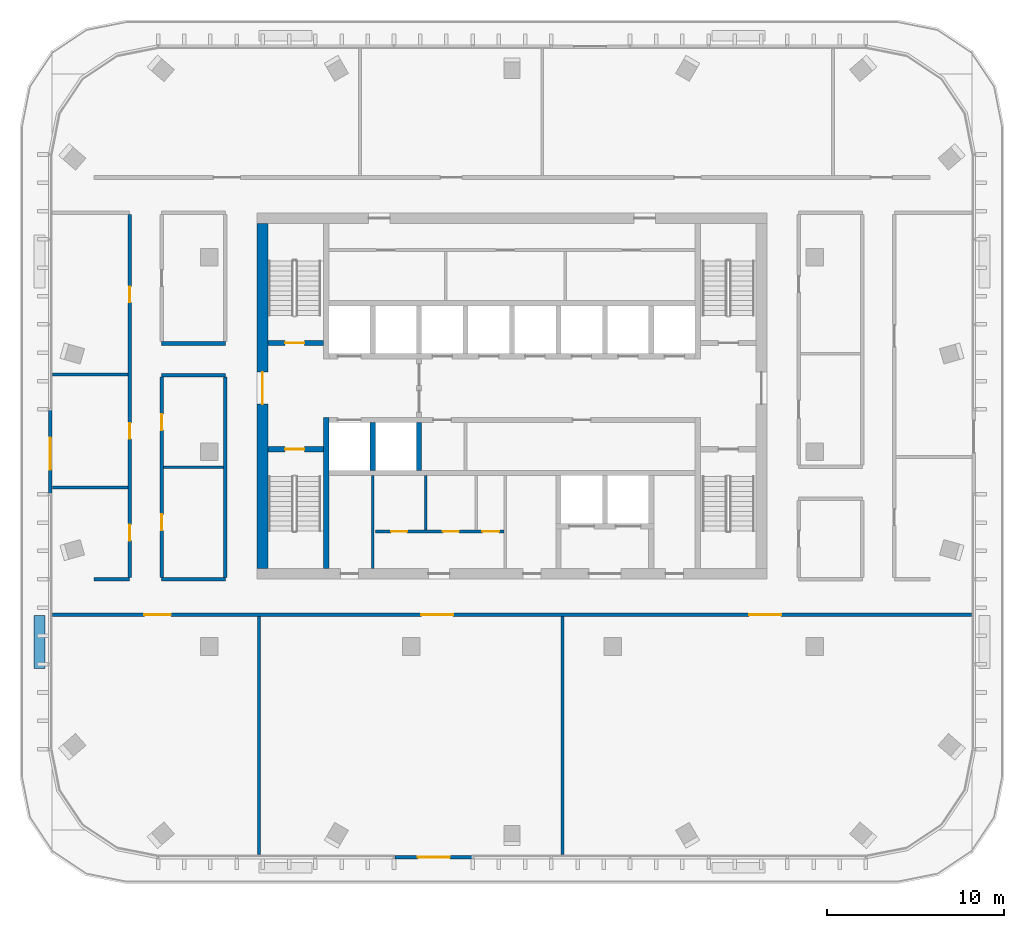
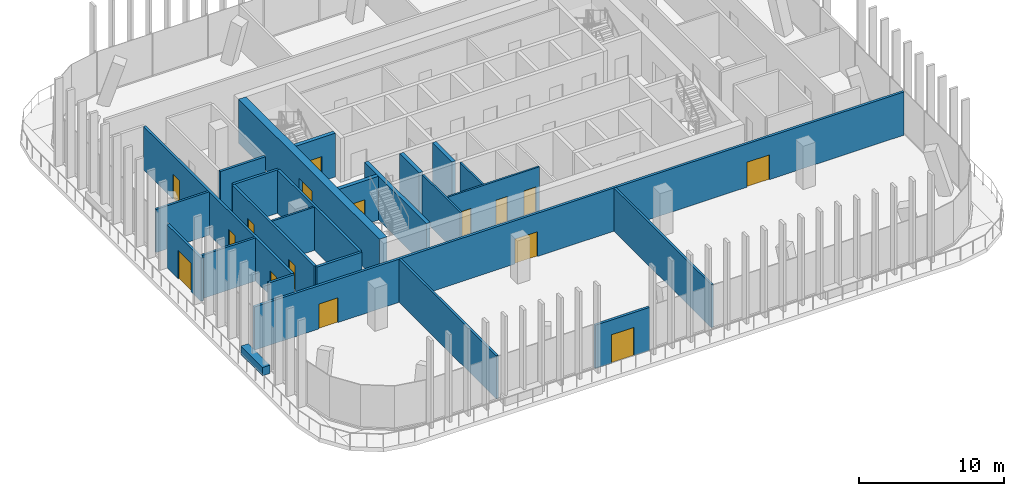
# One storey, part 7 of 15: 25 walls, 16 doors, 16 openings.
"""IFC4 building model written with IfcOpenShell, lengths in metres."""

from ifc_helpers import new_model, si_unit, direction, frame, frame_2d, origin, place, context, subcontext, project, spatial, rectangle, extrude, material, layer, layer_set, type_object, element, fill, save


model = new_model("IFC4")

# Units and contexts
model_context = context("Model", 3, precision=1e-05, world=origin(), true_north=direction((0.0, 1.0)))
body_context = subcontext(model_context, "Body", "Model", "MODEL_VIEW")
ifc_project = project(units=[si_unit("LENGTHUNIT", "METRE"), si_unit("AREAUNIT", "SQUARE_METRE"), si_unit("VOLUMEUNIT", "CUBIC_METRE"), si_unit("PLANEANGLEUNIT", "RADIAN"), si_unit("MASSUNIT", "GRAM", prefix="KILO")], contexts=[model_context])

# Site, building, storey
site_placement = place(None, origin())
site = spatial("IfcSite", under=ifc_project, at=site_placement, CompositionType="ELEMENT")
building_placement = place(site_placement, origin())
building = spatial("IfcBuilding", under=site, at=building_placement, Name="Mopane Tessera Tower", CompositionType="ELEMENT")
storey_placement = place(building_placement, frame((0.0, 0.0, 329.39990234375)))
storey = spatial("IfcBuildingStorey", under=building, at=storey_placement, Name="L72", CompositionType="ELEMENT", Elevation=329.39990234375)

# Wall
ifc_material_1 = material(Name="Fire-rated gypsum board partition")
ifc_layer_1 = layer(ifc_material_1, 0.14990234375)
ifc_layer_set_1 = layer_set([ifc_layer_1], Name="Fire-rated gypsum board partition")
wall_type_1 = type_object("IfcWallType", Name="Core room partition 150 mm", PredefinedType="PARTITIONING", material=ifc_layer_set_1)
wall_1_placement = place(storey_placement, frame((-7.875, -6.60009765625, 0.0), z_axis=(0.0, 0.0, 1.0), x_axis=(0.0, 1.0, 0.0)))
element("IfcWall", 1, at=wall_1_placement, inside=storey, type_object=wall_type_1, Name="L72 Room partition", PredefinedType="PARTITIONING", context=body_context, shape_type="SweptSolid", body=[
    extrude(rectangle(XDim=5.25, YDim=0.14990234375, at=frame_2d((2.625, 0.0))), origin(), (0.0, 0.0, 1.0), 3.7001953125),
])

# Wall, openings, doors
wall_2_placement = place(storey_placement, frame((-7.72509765625, -4.5, 0.0), z_axis=(0.0, 0.0, 1.0), x_axis=(1.0, 0.0, 0.0)))
wall_2 = element("IfcWall", 2, at=wall_2_placement, inside=storey, type_object=wall_type_1, Name="L72 WC partition", PredefinedType="PARTITIONING", context=body_context, shape_type="SweptSolid", body=[
    extrude(rectangle(XDim=7.275146484375, YDim=0.14990234375, at=frame_2d((3.6376953125, 0.0))), origin(), (0.0, 0.0, 1.0), 3.7001953125),
])
opening_1_placement = place(wall_2_placement, frame((0.89990234375, 0.0, 0.0)))
opening_1 = element("IfcOpeningElement", 3, at=opening_1_placement, cuts=wall_2, Name="Opening WD1", PredefinedType="OPENING", context=body_context, shape_type="SweptSolid", body=[
    extrude(rectangle(XDim=0.89990234375, YDim=2.10009765625, at=frame_2d((0.449951171875, 1.050048828125))), frame((0.0, 0.0869140625, 0.0), z_axis=(0.0, -1.0, 0.0), x_axis=(1.0, 0.0, 0.0)), (0.0, 0.0, 1.0), 0.173828125),
])
opening_2_placement = place(wall_2_placement, frame((3.824951171875, 0.0, 0.0)))
opening_2 = element("IfcOpeningElement", 4, at=opening_2_placement, cuts=wall_2, Name="Opening WD1", PredefinedType="OPENING", context=body_context, shape_type="SweptSolid", body=[
    extrude(rectangle(XDim=0.89990234375, YDim=2.10009765625, at=frame_2d((0.449951171875, 1.050048828125))), frame((0.0, 0.0869140625, 0.0), z_axis=(0.0, -1.0, 0.0), x_axis=(1.0, 0.0, 0.0)), (0.0, 0.0, 1.0), 0.173828125),
])
opening_3_placement = place(wall_2_placement, frame((6.050048828125, 0.0, 0.0)))
opening_3 = element("IfcOpeningElement", 5, at=opening_3_placement, cuts=wall_2, Name="Opening WD2", PredefinedType="OPENING", context=body_context, shape_type="SweptSolid", body=[
    extrude(rectangle(XDim=0.949951171875, YDim=2.10009765625, at=frame_2d((0.47509765625, 1.050048828125))), frame((0.0, 0.0869140625, 0.0), z_axis=(0.0, -1.0, 0.0), x_axis=(1.0, 0.0, 0.0)), (0.0, 0.0, 1.0), 0.173828125),
])
ifc_material_2 = material(Name="Timber door", Category="wood")
door_type_1 = type_object("IfcDoorType", Name="Accessible WC door 950 x 2100", OperationType="SINGLE_SWING_LEFT", PredefinedType="DOOR", material=ifc_material_2)
door_1_placement = place(opening_3_placement, origin())
door_1 = element("IfcDoor", 6, at=door_1_placement, inside=storey, type_object=door_type_1, Name="L72 Accessible WC door", OperationType="SINGLE_SWING_LEFT", OverallHeight=2.10009765625, OverallWidth=0.949951171875, PredefinedType="DOOR", context=body_context, shape_type="SweptSolid", body=[
    extrude(rectangle(XDim=0.949951171875, YDim=2.10009765625, at=frame_2d((0.47509765625, 1.050048828125))), frame((0.0, 0.02490234375, 0.0), z_axis=(0.0, -1.0, 0.0), x_axis=(1.0, 0.0, 0.0)), (0.0, 0.0, 1.0), 0.050048828125),
])
fill(opening_3, door_1)
ifc_material_3 = material(Name="Timber door", Category="wood")
door_type_2 = type_object("IfcDoorType", Name="WC cubicle door 900 x 2100", OperationType="SINGLE_SWING_LEFT", PredefinedType="DOOR", material=ifc_material_3)
door_2_placement = place(opening_1_placement, origin())
door_2 = element("IfcDoor", 7, at=door_2_placement, inside=storey, type_object=door_type_2, Name="L72 Men's WC door", OperationType="SINGLE_SWING_LEFT", OverallHeight=2.10009765625, OverallWidth=0.89990234375, PredefinedType="DOOR", context=body_context, shape_type="SweptSolid", body=[
    extrude(rectangle(XDim=0.89990234375, YDim=2.10009765625, at=frame_2d((0.449951171875, 1.050048828125))), frame((0.0, 0.02490234375, 0.0), z_axis=(0.0, -1.0, 0.0), x_axis=(1.0, 0.0, 0.0)), (0.0, 0.0, 1.0), 0.050048828125),
])
fill(opening_1, door_2)
door_3_placement = place(opening_2_placement, origin())
door_3 = element("IfcDoor", 8, at=door_3_placement, inside=storey, type_object=door_type_2, Name="L72 Women's WC door", OperationType="SINGLE_SWING_LEFT", OverallHeight=2.10009765625, OverallWidth=0.89990234375, PredefinedType="DOOR", context=body_context, shape_type="SweptSolid", body=[
    extrude(rectangle(XDim=0.89990234375, YDim=2.10009765625, at=frame_2d((0.449951171875, 1.050048828125))), frame((0.0, 0.02490234375, 0.0), z_axis=(0.0, -1.0, 0.0), x_axis=(1.0, 0.0, 0.0)), (0.0, 0.0, 1.0), 0.050048828125),
])
fill(opening_2, door_3)

# Wall
wall_3_placement = place(storey_placement, frame((-4.875, -4.425048828125, 0.0), z_axis=(0.0, 0.0, 1.0), x_axis=(0.0, 1.0, 0.0)))
element("IfcWall", 9, at=wall_3_placement, inside=storey, type_object=wall_type_1, Name="L72 WC partition", PredefinedType="PARTITIONING", context=body_context, shape_type="SweptSolid", body=[
    extrude(rectangle(XDim=3.074951171875, YDim=0.14990234375, at=frame_2d((1.53759765625, 0.0))), origin(), (0.0, 0.0, 1.0), 3.7001953125),
])

# Wall, opening, door
ifc_material_4 = material(Name="Concrete C70/85", Category="concrete")
ifc_layer_2 = layer(ifc_material_4, 0.60009765625)
ifc_layer_set_2 = layer_set([ifc_layer_2], Name="Concrete C70/85")
wall_type_2 = type_object("IfcWallType", Name="Core shear wall 600 mm", PredefinedType="SHEAR", material=ifc_layer_set_2)
wall_4_placement = place(storey_placement, frame((-14.10009765625, -6.60009765625, 0.0), z_axis=(0.0, 0.0, 1.0), x_axis=(0.0, 1.0, 0.0)))
wall_4 = element("IfcWall", 10, at=wall_4_placement, inside=storey, type_object=wall_type_2, Name="L72 Core wall west", PredefinedType="SHEAR", context=body_context, shape_type="SweptSolid", body=[
    extrude(rectangle(XDim=19.5, YDim=0.60009765625, at=frame_2d((9.75, 0.0))), origin(), (0.0, 0.0, 1.0), 3.7001953125),
])
opening_4_placement = place(wall_4_placement, frame((9.300048828125, 0.0, 0.0)))
opening_4 = element("IfcOpeningElement", 11, at=opening_4_placement, cuts=wall_4, Name="Opening SD2", PredefinedType="OPENING", context=body_context, shape_type="SweptSolid", body=[
    extrude(rectangle(XDim=1.800048828125, YDim=2.10009765625, at=frame_2d((0.89990234375, 1.050048828125))), frame((0.0, 0.31201171875, 0.0), z_axis=(0.0, -1.0, 0.0), x_axis=(1.0, 0.0, 0.0)), (0.0, 0.0, 1.0), 0.6240234375),
])
ifc_material_5 = material(Name="Steel fire door", Category="steel")
door_type_3 = type_object("IfcDoorType", Name="Core entrance double door 1800 x 2100", OperationType="DOUBLE_DOOR_SINGLE_SWING", PredefinedType="DOOR", material=ifc_material_5)
door_4_placement = place(opening_4_placement, origin())
door_4 = element("IfcDoor", 12, at=door_4_placement, inside=storey, type_object=door_type_3, Name="L72 Core entrance door west", OperationType="DOUBLE_DOOR_SINGLE_SWING", OverallHeight=2.10009765625, OverallWidth=1.800048828125, PredefinedType="DOOR", context=body_context, shape_type="SweptSolid", body=[
    extrude(rectangle(XDim=1.800048828125, YDim=2.10009765625, at=frame_2d((0.89990234375, 1.050048828125))), frame((0.0, 0.02490234375, 0.0), z_axis=(0.0, -1.0, 0.0), x_axis=(1.0, 0.0, 0.0)), (0.0, 0.0, 1.0), 0.050048828125),
])
fill(opening_4, door_4)

# Walls
ifc_material_6 = material(Name="Concrete C60/75", Category="concrete")
ifc_layer_3 = layer(ifc_material_6, 0.300048828125)
ifc_layer_set_3 = layer_set([ifc_layer_3], Name="Concrete C60/75")
wall_type_3 = type_object("IfcWallType", Name="Core spine wall 300 mm", PredefinedType="SHEAR", material=ifc_layer_set_3)
wall_5_placement = place(storey_placement, frame((-10.5, -6.60009765625, 0.0), z_axis=(0.0, 0.0, 1.0), x_axis=(0.0, 1.0, 0.0)))
element("IfcWall", 13, at=wall_5_placement, inside=storey, type_object=wall_type_3, Name="L72 Core spine wall", PredefinedType="SHEAR", context=body_context, shape_type="SweptSolid", body=[
    extrude(rectangle(XDim=8.550048828125, YDim=0.300048828125, at=frame_2d((4.27490234375, 0.0))), origin(), (0.0, 0.0, 1.0), 3.7001953125),
])
ifc_material_7 = material(Name="Gypsum board on staggered steel studs, double layer each face, acoustic mineral wool infill", Category="steel")
ifc_layer_4 = layer(ifc_material_7, 0.175048828125)
ifc_layer_set_4 = layer_set([ifc_layer_4], Name="Gypsum board on staggered steel studs, double layer each face, acoustic mineral wool infill")
wall_type_4 = type_object("IfcWallType", Name="Gypsum board acoustic partition 175, rated EI 60", PredefinedType="PARTITIONING", material=ifc_layer_set_4)
for number, where, z_axis, x_axis, name in (
    (14, (-25.949951171875, -2.02490234375, 0.0), (0.0, 0.0, 1.0), (1.0, 0.0, 0.0), "Partition L72:006"),
    (15, (-25.949951171875, 4.375, 0.0), (0.0, 0.0, 1.0), (1.0, 0.0, 0.0), "Partition L72:011"),
):
    element("IfcWall", number, at=place(storey_placement, frame(where, z_axis=z_axis, x_axis=x_axis)), inside=storey, type_object=wall_type_4, Name=name, PredefinedType="PARTITIONING", context=body_context, shape_type="SweptSolid", body=[
        extrude(rectangle(XDim=4.25, YDim=0.175048828125, at=frame_2d((2.125, 0.0))), origin(), (0.0, 0.0, 1.0), 3.650146484375),
    ])
for number, where, z_axis, x_axis, name in (
    (16, (-14.304931640625, -22.75, 0.0), (0.0, 0.0, 1.0), (0.0, 1.0, 0.0), "Partition L72:024"),
    (17, (2.860107421875, -22.75, 0.0), (0.0, 0.0, 1.0), (0.0, 1.0, 0.0), "Partition L72:027"),
):
    element("IfcWall", number, at=place(storey_placement, frame(where, z_axis=z_axis, x_axis=x_axis)), inside=storey, type_object=wall_type_4, Name=name, PredefinedType="PARTITIONING", context=body_context, shape_type="SweptSolid", body=[
        extrude(rectangle(XDim=13.449951171875, YDim=0.175048828125, at=frame_2d((6.72509765625, 0.0))), origin(), (0.0, 0.0, 1.0), 3.650146484375),
    ])

# Wall, openings, doors
ifc_material_8 = material(Name="Gypsum board on steel studs, two layers each face, mineral wool infill", Category="steel")
ifc_layer_5 = layer(ifc_material_8, 0.199951171875)
ifc_layer_set_5 = layer_set([ifc_layer_5], Name="Gypsum board on steel studs, two layers each face, mineral wool infill")
wall_type_5 = type_object("IfcWallType", Name="Gypsum board corridor wall 200, rated EI 60", PredefinedType="PARTITIONING", material=ifc_layer_set_5)
wall_6_placement = place(storey_placement, frame((-25.949951171875, -9.199951171875, 0.0), z_axis=(0.0, 0.0, 1.0), x_axis=(1.0, 0.0, 0.0)))
wall_6 = element("IfcWall", 18, at=wall_6_placement, inside=storey, type_object=wall_type_5, Name="Partition L72:000", PredefinedType="PARTITIONING", context=body_context, shape_type="SweptSolid", body=[
    extrude(rectangle(XDim=51.89990234375, YDim=0.199951171875, at=frame_2d((25.949951171875, 0.0))), origin(), (0.0, 0.0, 1.0), 3.650146484375),
])
opening_5_placement = place(wall_6_placement, frame((39.35498046875, 0.0, 0.0)))
opening_5 = element("IfcOpeningElement", 19, at=opening_5_placement, cuts=wall_6, Name="Opening L72-07", PredefinedType="OPENING", context=body_context, shape_type="SweptSolid", body=[
    extrude(rectangle(XDim=1.800048828125, YDim=2.10009765625, at=frame_2d((0.89990234375, 1.050048828125))), frame((0.0, 0.112060546875, 0.0), z_axis=(0.0, -1.0, 0.0), x_axis=(1.0, 0.0, 0.0)), (0.0, 0.0, 1.0), 0.223876953125),
])
opening_6_placement = place(wall_6_placement, frame((5.172607421875, 0.0, 0.0)))
opening_6 = element("IfcOpeningElement", 20, at=opening_6_placement, cuts=wall_6, Name="Opening L72-14", PredefinedType="OPENING", context=body_context, shape_type="SweptSolid", body=[
    extrude(rectangle(XDim=1.5, YDim=2.10009765625, at=frame_2d((0.75, 1.050048828125))), frame((0.0, 0.112060546875, 0.0), z_axis=(0.0, -1.0, 0.0), x_axis=(1.0, 0.0, 0.0)), (0.0, 0.0, 1.0), 0.223876953125),
])
opening_7_placement = place(wall_6_placement, frame((20.827392578125, 0.0, 0.0)))
opening_7 = element("IfcOpeningElement", 21, at=opening_7_placement, cuts=wall_6, Name="Opening L72-18", PredefinedType="OPENING", context=body_context, shape_type="SweptSolid", body=[
    extrude(rectangle(XDim=1.800048828125, YDim=2.10009765625, at=frame_2d((0.89990234375, 1.050048828125))), frame((0.0, 0.112060546875, 0.0), z_axis=(0.0, -1.0, 0.0), x_axis=(1.0, 0.0, 0.0)), (0.0, 0.0, 1.0), 0.223876953125),
])
ifc_material_9 = material(Name="Timber veneered steel-framed fire door", Category="steel")
door_type_4 = type_object("IfcDoorType", Name="Fire door pair FD60 1500 x 2100", OperationType="DOUBLE_DOOR_SINGLE_SWING", PredefinedType="DOOR", material=ifc_material_9)
door_5_placement = place(opening_6_placement, origin())
door_5 = element("IfcDoor", 22, at=door_5_placement, inside=storey, type_object=door_type_4, Name="Door L72-14", ObjectType="D17A", OperationType="DOUBLE_DOOR_SINGLE_SWING", OverallHeight=2.10009765625, OverallWidth=1.5, PredefinedType="DOOR", context=body_context, shape_type="SweptSolid", body=[
    extrude(rectangle(XDim=1.5, YDim=2.10009765625, at=frame_2d((0.75, 1.050048828125))), frame((0.0, 0.02490234375, 0.0), z_axis=(0.0, -1.0, 0.0), x_axis=(1.0, 0.0, 0.0)), (0.0, 0.0, 1.0), 0.050048828125),
])
fill(opening_6, door_5)
ifc_material_10 = material(Name="Timber veneered steel-framed fire door", Category="steel")
door_type_5 = type_object("IfcDoorType", Name="Fire door pair FD60 1800 x 2100", OperationType="DOUBLE_DOOR_SINGLE_SWING", PredefinedType="DOOR", material=ifc_material_10)
door_6_placement = place(opening_5_placement, origin())
door_6 = element("IfcDoor", 23, at=door_6_placement, inside=storey, type_object=door_type_5, Name="Door L72-07", ObjectType="D20A", OperationType="DOUBLE_DOOR_SINGLE_SWING", OverallHeight=2.10009765625, OverallWidth=1.800048828125, PredefinedType="DOOR", context=body_context, shape_type="SweptSolid", body=[
    extrude(rectangle(XDim=1.800048828125, YDim=2.10009765625, at=frame_2d((0.89990234375, 1.050048828125))), frame((0.0, 0.02490234375, 0.0), z_axis=(0.0, -1.0, 0.0), x_axis=(1.0, 0.0, 0.0)), (0.0, 0.0, 1.0), 0.050048828125),
])
fill(opening_5, door_6)
door_7_placement = place(opening_7_placement, origin())
door_7 = element("IfcDoor", 24, at=door_7_placement, inside=storey, type_object=door_type_5, Name="Door L72-18", ObjectType="D20A", OperationType="DOUBLE_DOOR_SINGLE_SWING", OverallHeight=2.10009765625, OverallWidth=1.800048828125, PredefinedType="DOOR", context=body_context, shape_type="SweptSolid", body=[
    extrude(rectangle(XDim=1.800048828125, YDim=2.10009765625, at=frame_2d((0.89990234375, 1.050048828125))), frame((0.0, 0.02490234375, 0.0), z_axis=(0.0, -1.0, 0.0), x_axis=(1.0, 0.0, 0.0)), (0.0, 0.0, 1.0), 0.050048828125),
])
fill(opening_7, door_7)

# Walls
wall_7_placement = place(storey_placement, frame((-23.625, -7.199951171875, 0.0), z_axis=(0.0, 0.0, 1.0), x_axis=(1.0, 0.0, 0.0)))
element("IfcWall", 25, at=wall_7_placement, inside=storey, type_object=wall_type_5, Name="Partition L72:001", PredefinedType="PARTITIONING", context=body_context, shape_type="SweptSolid", body=[
    extrude(rectangle(XDim=2.02490234375, YDim=0.199951171875, at=frame_2d((1.012451171875, 0.0))), origin(), (0.0, 0.0, 1.0), 3.650146484375),
])
for number, where, z_axis, x_axis, name in (
    (26, (-19.800048828125, -7.199951171875, 0.0), (0.0, 0.0, 1.0), (1.0, 0.0, 0.0), "Partition L72:002"),
    (27, (-19.800048828125, 4.320068359375, 0.0), (0.0, 0.0, 1.0), (1.0, 0.0, 0.0), "Partition L72:010"),
    (28, (-19.800048828125, 6.1201171875, 0.0), (0.0, 0.0, 1.0), (1.0, 0.0, 0.0), "Partition L72:013"),
):
    element("IfcWall", number, at=place(storey_placement, frame(where, z_axis=z_axis, x_axis=x_axis)), inside=storey, type_object=wall_type_5, Name=name, PredefinedType="PARTITIONING", context=body_context, shape_type="SweptSolid", body=[
        extrude(rectangle(XDim=3.60009765625, YDim=0.199951171875, at=frame_2d((1.800048828125, 0.0))), origin(), (0.0, 0.0, 1.0), 3.650146484375),
    ])

# Wall, openings, doors
wall_8_placement = place(storey_placement, frame((-21.60009765625, -7.10009765625, 0.0), z_axis=(0.0, 0.0, 1.0), x_axis=(0.0, 1.0, 0.0)))
wall_8 = element("IfcWall", 29, at=wall_8_placement, inside=storey, type_object=wall_type_5, Name="Partition L72:019", PredefinedType="PARTITIONING", context=body_context, shape_type="SweptSolid", body=[
    extrude(rectangle(XDim=20.5, YDim=0.199951171875, at=frame_2d((10.25, 0.0))), origin(), (0.0, 0.0, 1.0), 3.650146484375),
])
opening_8_placement = place(wall_8_placement, frame((15.53759765625, 0.0, 0.0)))
opening_8 = element("IfcOpeningElement", 30, at=opening_8_placement, cuts=wall_8, Name="Opening L72-06", PredefinedType="OPENING", context=body_context, shape_type="SweptSolid", body=[
    extrude(rectangle(XDim=0.89990234375, YDim=2.10009765625, at=frame_2d((0.449951171875, 1.050048828125))), frame((0.0, 0.112060546875, 0.0), z_axis=(0.0, -1.0, 0.0), x_axis=(1.0, 0.0, 0.0)), (0.0, 0.0, 1.0), 0.223876953125),
])
opening_9_placement = place(wall_8_placement, frame((2.08740234375, 0.0, 0.0)))
opening_9 = element("IfcOpeningElement", 31, at=opening_9_placement, cuts=wall_8, Name="Opening L72-13", PredefinedType="OPENING", context=body_context, shape_type="SweptSolid", body=[
    extrude(rectangle(XDim=0.89990234375, YDim=2.10009765625, at=frame_2d((0.449951171875, 1.050048828125))), frame((0.0, 0.112060546875, 0.0), z_axis=(0.0, -1.0, 0.0), x_axis=(1.0, 0.0, 0.0)), (0.0, 0.0, 1.0), 0.223876953125),
])
opening_10_placement = place(wall_8_placement, frame((7.824951171875, 0.0, 0.0)))
opening_10 = element("IfcOpeningElement", 32, at=opening_10_placement, cuts=wall_8, Name="Opening L72-16", PredefinedType="OPENING", context=body_context, shape_type="SweptSolid", body=[
    extrude(rectangle(XDim=0.89990234375, YDim=2.10009765625, at=frame_2d((0.449951171875, 1.050048828125))), frame((0.0, 0.112060546875, 0.0), z_axis=(0.0, -1.0, 0.0), x_axis=(1.0, 0.0, 0.0)), (0.0, 0.0, 1.0), 0.223876953125),
])
ifc_material_11 = material(Name="Timber veneered steel-framed fire door", Category="steel")
door_type_6 = type_object("IfcDoorType", Name="Fire door FD60 900 x 2100", OperationType="SINGLE_SWING_LEFT", PredefinedType="DOOR", material=ifc_material_11)
door_8_placement = place(opening_8_placement, origin())
door_8 = element("IfcDoor", 33, at=door_8_placement, inside=storey, type_object=door_type_6, Name="Door L72-06", ObjectType="D10A", OperationType="SINGLE_SWING_LEFT", OverallHeight=2.10009765625, OverallWidth=0.89990234375, PredefinedType="DOOR", context=body_context, shape_type="SweptSolid", body=[
    extrude(rectangle(XDim=0.89990234375, YDim=2.10009765625, at=frame_2d((0.449951171875, 1.050048828125))), frame((0.0, 0.02490234375, 0.0), z_axis=(0.0, -1.0, 0.0), x_axis=(1.0, 0.0, 0.0)), (0.0, 0.0, 1.0), 0.050048828125),
])
fill(opening_8, door_8)
door_9_placement = place(opening_9_placement, origin())
door_9 = element("IfcDoor", 34, at=door_9_placement, inside=storey, type_object=door_type_6, Name="Door L72-13", ObjectType="D10A", OperationType="SINGLE_SWING_RIGHT", OverallHeight=2.10009765625, OverallWidth=0.89990234375, PredefinedType="DOOR", context=body_context, shape_type="SweptSolid", body=[
    extrude(rectangle(XDim=0.89990234375, YDim=2.10009765625, at=frame_2d((0.449951171875, 1.050048828125))), frame((0.0, 0.02490234375, 0.0), z_axis=(0.0, -1.0, 0.0), x_axis=(1.0, 0.0, 0.0)), (0.0, 0.0, 1.0), 0.050048828125),
])
fill(opening_9, door_9)
door_10_placement = place(opening_10_placement, origin())
door_10 = element("IfcDoor", 35, at=door_10_placement, inside=storey, type_object=door_type_6, Name="Door L72-16", ObjectType="D10A", OperationType="SINGLE_SWING_LEFT", OverallHeight=2.10009765625, OverallWidth=0.89990234375, PredefinedType="DOOR", context=body_context, shape_type="SweptSolid", body=[
    extrude(rectangle(XDim=0.89990234375, YDim=2.10009765625, at=frame_2d((0.449951171875, 1.050048828125))), frame((0.0, 0.02490234375, 0.0), z_axis=(0.0, -1.0, 0.0), x_axis=(1.0, 0.0, 0.0)), (0.0, 0.0, 1.0), 0.050048828125),
])
fill(opening_10, door_10)

wall_9_placement = place(storey_placement, frame((-19.800048828125, -7.10009765625, 0.0), z_axis=(0.0, 0.0, 1.0), x_axis=(0.0, 1.0, 0.0)))
wall_9 = element("IfcWall", 36, at=wall_9_placement, inside=storey, type_object=wall_type_5, Name="Partition L72:020", PredefinedType="PARTITIONING", context=body_context, shape_type="SweptSolid", body=[
    extrude(rectangle(XDim=11.320068359375, YDim=0.199951171875, at=frame_2d((5.66015625, 0.0))), origin(), (0.0, 0.0, 1.0), 3.650146484375),
])
opening_11_placement = place(wall_9_placement, frame((2.66748046875, 0.0, 0.0)))
opening_11 = element("IfcOpeningElement", 37, at=opening_11_placement, cuts=wall_9, Name="Opening L72-04", PredefinedType="OPENING", context=body_context, shape_type="SweptSolid", body=[
    extrude(rectangle(XDim=0.89990234375, YDim=2.10009765625, at=frame_2d((0.449951171875, 1.050048828125))), frame((0.0, 0.112060546875, 0.0), z_axis=(0.0, -1.0, 0.0), x_axis=(1.0, 0.0, 0.0)), (0.0, 0.0, 1.0), 0.223876953125),
])
opening_12_placement = place(wall_9_placement, frame((8.327392578125, 0.0, 0.0)))
opening_12 = element("IfcOpeningElement", 38, at=opening_12_placement, cuts=wall_9, Name="Opening L72-08", PredefinedType="OPENING", context=body_context, shape_type="SweptSolid", body=[
    extrude(rectangle(XDim=0.89990234375, YDim=2.10009765625, at=frame_2d((0.449951171875, 1.050048828125))), frame((0.0, 0.112060546875, 0.0), z_axis=(0.0, -1.0, 0.0), x_axis=(1.0, 0.0, 0.0)), (0.0, 0.0, 1.0), 0.223876953125),
])
door_11_placement = place(opening_11_placement, origin())
door_11 = element("IfcDoor", 39, at=door_11_placement, inside=storey, type_object=door_type_6, Name="Door L72-04", ObjectType="D10A", OperationType="SINGLE_SWING_RIGHT", OverallHeight=2.10009765625, OverallWidth=0.89990234375, PredefinedType="DOOR", context=body_context, shape_type="SweptSolid", body=[
    extrude(rectangle(XDim=0.89990234375, YDim=2.10009765625, at=frame_2d((0.449951171875, 1.050048828125))), frame((0.0, 0.02490234375, 0.0), z_axis=(0.0, -1.0, 0.0), x_axis=(1.0, 0.0, 0.0)), (0.0, 0.0, 1.0), 0.050048828125),
])
fill(opening_11, door_11)
door_12_placement = place(opening_12_placement, origin())
door_12 = element("IfcDoor", 40, at=door_12_placement, inside=storey, type_object=door_type_6, Name="Door L72-08", ObjectType="D10A", OperationType="SINGLE_SWING_RIGHT", OverallHeight=2.10009765625, OverallWidth=0.89990234375, PredefinedType="DOOR", context=body_context, shape_type="SweptSolid", body=[
    extrude(rectangle(XDim=0.89990234375, YDim=2.10009765625, at=frame_2d((0.449951171875, 1.050048828125))), frame((0.0, 0.02490234375, 0.0), z_axis=(0.0, -1.0, 0.0), x_axis=(1.0, 0.0, 0.0)), (0.0, 0.0, 1.0), 0.050048828125),
])
fill(opening_12, door_12)

# Walls
wall_10_placement = place(storey_placement, frame((-16.199951171875, -7.10009765625, 0.0), z_axis=(0.0, 0.0, 1.0), x_axis=(0.0, 1.0, 0.0)))
element("IfcWall", 41, at=wall_10_placement, inside=storey, type_object=wall_type_5, Name="Partition L72:022", PredefinedType="PARTITIONING", context=body_context, shape_type="SweptSolid", body=[
    extrude(rectangle(XDim=11.320068359375, YDim=0.199951171875, at=frame_2d((5.66015625, 0.0))), origin(), (0.0, 0.0, 1.0), 3.650146484375),
])
ifc_material_12 = material(Name="Gypsum board on steel studs, mineral wool infill", Category="steel")
ifc_layer_6 = layer(ifc_material_12, 0.14990234375)
ifc_layer_set_6 = layer_set([ifc_layer_6], Name="Gypsum board on steel studs, mineral wool infill")
wall_type_6 = type_object("IfcWallType", Name="Gypsum board partition 150, rated EI 60", PredefinedType="PARTITIONING", material=ifc_layer_set_6)
wall_11_placement = place(storey_placement, frame((-19.699951171875, -0.864990234375, 0.0), z_axis=(0.0, 0.0, 1.0), x_axis=(1.0, 0.0, 0.0)))
element("IfcWall", 42, at=wall_11_placement, inside=storey, type_object=wall_type_6, Name="Partition L72:007", PredefinedType="PARTITIONING", context=body_context, shape_type="SweptSolid", body=[
    extrude(rectangle(XDim=3.39990234375, YDim=0.14990234375, at=frame_2d((1.699951171875, 0.0))), origin(), (0.0, 0.0, 1.0), 3.650146484375),
])

# Wall, opening, door
ifc_material_13 = material(Name="Concrete C50/60", Category="concrete")
ifc_layer_7 = layer(ifc_material_13, 0.300048828125)
ifc_layer_set_7 = layer_set([ifc_layer_7], Name="Concrete C50/60")
wall_type_7 = type_object("IfcWallType", Name="Lift and stair shaft wall 300 mm", PredefinedType="SOLIDWALL", material=ifc_layer_set_7)
wall_12_placement = place(storey_placement, frame((-13.800048828125, 0.14990234375, 0.0), z_axis=(0.0, 0.0, 1.0), x_axis=(1.0, 0.0, 0.0)))
wall_12 = element("IfcWall", 43, at=wall_12_placement, inside=storey, type_object=wall_type_7, Name="L72 Stair enclosure wall", PredefinedType="SOLIDWALL", context=body_context, shape_type="SweptSolid", body=[
    extrude(rectangle(XDim=3.150146484375, YDim=0.300048828125, at=frame_2d((1.5751953125, 0.0))), origin(), (0.0, 0.0, 1.0), 3.7001953125),
])
opening_13_placement = place(wall_12_placement, frame((0.97509765625, 0.0, 0.0)))
opening_13 = element("IfcOpeningElement", 44, at=opening_13_placement, cuts=wall_12, Name="Opening SD1", PredefinedType="OPENING", context=body_context, shape_type="SweptSolid", body=[
    extrude(rectangle(XDim=1.10009765625, YDim=2.10009765625, at=frame_2d((0.550048828125, 1.050048828125))), frame((0.0, 0.162109375, 0.0), z_axis=(0.0, -1.0, 0.0), x_axis=(1.0, 0.0, 0.0)), (0.0, 0.0, 1.0), 0.323974609375),
])
ifc_material_14 = material(Name="Steel fire door", Category="steel")
door_type_7 = type_object("IfcDoorType", Name="Stair fire door 1100 x 2100", OperationType="SINGLE_SWING_LEFT", PredefinedType="DOOR", material=ifc_material_14)
door_13_placement = place(opening_13_placement, origin())
door_13 = element("IfcDoor", 45, at=door_13_placement, inside=storey, type_object=door_type_7, Name="L72 Stair door ST1", OperationType="SINGLE_SWING_LEFT", OverallHeight=2.10009765625, OverallWidth=1.10009765625, PredefinedType="DOOR", context=body_context, shape_type="SweptSolid", body=[
    extrude(rectangle(XDim=1.10009765625, YDim=2.10009765625, at=frame_2d((0.550048828125, 1.050048828125))), frame((0.0, 0.02490234375, 0.0), z_axis=(0.0, -1.0, 0.0), x_axis=(1.0, 0.0, 0.0)), (0.0, 0.0, 1.0), 0.050048828125),
])
fill(opening_13, door_13)

wall_13_placement = place(storey_placement, frame((-13.800048828125, 6.14990234375, 0.0), z_axis=(0.0, 0.0, 1.0), x_axis=(1.0, 0.0, 0.0)))
wall_13 = element("IfcWall", 46, at=wall_13_placement, inside=storey, type_object=wall_type_7, Name="L72 Stair enclosure wall", PredefinedType="SOLIDWALL", context=body_context, shape_type="SweptSolid", body=[
    extrude(rectangle(XDim=3.150146484375, YDim=0.300048828125, at=frame_2d((1.5751953125, 0.0))), origin(), (0.0, 0.0, 1.0), 3.7001953125),
])
opening_14_placement = place(wall_13_placement, frame((0.97509765625, 0.0, 0.0)))
opening_14 = element("IfcOpeningElement", 47, at=opening_14_placement, cuts=wall_13, Name="Opening SD1", PredefinedType="OPENING", context=body_context, shape_type="SweptSolid", body=[
    extrude(rectangle(XDim=1.10009765625, YDim=2.10009765625, at=frame_2d((0.550048828125, 1.050048828125))), frame((0.0, 0.162109375, 0.0), z_axis=(0.0, -1.0, 0.0), x_axis=(1.0, 0.0, 0.0)), (0.0, 0.0, 1.0), 0.323974609375),
])
door_14_placement = place(opening_14_placement, origin())
door_14 = element("IfcDoor", 48, at=door_14_placement, inside=storey, type_object=door_type_7, Name="L72 Stair door ST2", OperationType="SINGLE_SWING_LEFT", OverallHeight=2.10009765625, OverallWidth=1.10009765625, PredefinedType="DOOR", context=body_context, shape_type="SweptSolid", body=[
    extrude(rectangle(XDim=1.10009765625, YDim=2.10009765625, at=frame_2d((0.550048828125, 1.050048828125))), frame((0.0, 0.02490234375, 0.0), z_axis=(0.0, -1.0, 0.0), x_axis=(1.0, 0.0, 0.0)), (0.0, 0.0, 1.0), 0.050048828125),
])
fill(opening_14, door_14)

# Walls
for number, where, z_axis, x_axis, name in (
    (49, (-7.875, -1.050048828125, 0.0), (0.0, 0.0, 1.0), (0.0, 1.0, 0.0), "L72 Lift shaft wall"),
    (50, (-5.25, -1.050048828125, 0.0), (0.0, 0.0, 1.0), (0.0, 1.0, 0.0), "L72 Lift shaft wall"),
):
    element("IfcWall", number, at=place(storey_placement, frame(where, z_axis=z_axis, x_axis=x_axis)), inside=storey, type_object=wall_type_7, Name=name, PredefinedType="SOLIDWALL", context=body_context, shape_type="SweptSolid", body=[
        extrude(rectangle(XDim=2.699951171875, YDim=0.300048828125, at=frame_2d((1.35009765625, 0.0))), origin(), (0.0, 0.0, 1.0), 3.7001953125),
    ])
ifc_material_15 = material(Name="Reinforced concrete C32/40 with waterproofing", Category="concrete")
ifc_layer_8 = layer(ifc_material_15, 0.60009765625)
ifc_layer_set_8 = layer_set([ifc_layer_8], Name="Reinforced concrete C32/40 with waterproofing")
wall_type_8 = type_object("IfcWallType", Name="Planter trough 3000 x 600", PredefinedType="STANDARD", material=ifc_layer_set_8)
wall_14_placement = place(storey_placement, frame((-26.699951171875, -9.251953125, 0.0), z_axis=(0.0, 0.0, 1.0), x_axis=(0.0, -1.0, 0.0)))
element("IfcWall", 51, at=wall_14_placement, inside=storey, type_object=wall_type_8, Name="e:sp:L72:W1", PredefinedType="STANDARD", context=body_context, shape_type="SweptSolid", body=[
    extrude(rectangle(XDim=3.0, YDim=0.60009765625, at=frame_2d((1.5, 0.0))), origin(), (0.0, 0.0, 1.0), 0.7001953125),
])

# Wall, opening, door
ifc_material_16 = material(Name="Blockwork with glazed tile facing", Category="masonry")
ifc_layer_9 = layer(ifc_material_16, 0.199951171875)
ifc_layer_set_9 = layer_set([ifc_layer_9], Name="Blockwork with glazed tile facing")
wall_type_9 = type_object("IfcWallType", Name="Tile-clad portal wall 200", PredefinedType="STANDARD", material=ifc_layer_set_9)
wall_15_placement = place(storey_placement, frame((-6.61669921875, -22.89990234375, 0.0), z_axis=(0.0, 0.0, 1.0), x_axis=(1.0, 0.0, 0.0)))
wall_15 = element("IfcWall", 52, at=wall_15_placement, inside=storey, type_object=wall_type_9, Name="e:pw:L72:S", PredefinedType="STANDARD", context=body_context, shape_type="SweptSolid", body=[
    extrude(rectangle(XDim=4.344482421875, YDim=0.199951171875, at=frame_2d((2.17236328125, 0.0))), origin(), (0.0, 0.0, 1.0), 3.650146484375),
])
opening_15_placement = place(wall_15_placement, frame((1.300048828125, 0.0, 0.0)))
opening_15 = element("IfcOpeningElement", 53, at=opening_15_placement, cuts=wall_15, Name="Opening TD72S", PredefinedType="OPENING", context=body_context, shape_type="SweptSolid", body=[
    extrude(rectangle(XDim=1.800048828125, YDim=2.39990234375, at=frame_2d((0.89990234375, 1.199951171875))), frame((0.0, 0.112060546875, 0.0), z_axis=(0.0, -1.0, 0.0), x_axis=(1.0, 0.0, 0.0)), (0.0, 0.0, 1.0), 0.223876953125),
])
ifc_material_17 = material(Name="Aluminium and clear glass", Category="aluminium")
door_type_8 = type_object("IfcDoorType", Name="Terrace double door 1800 x 2400", OperationType="DOUBLE_DOOR_SINGLE_SWING", PredefinedType="DOOR", material=ifc_material_17)
door_15_placement = place(opening_15_placement, origin())
door_15 = element("IfcDoor", 54, at=door_15_placement, inside=storey, type_object=door_type_8, Name="e:pw:L72:S:door", ObjectType="D1", OperationType="DOUBLE_DOOR_SINGLE_SWING", OverallHeight=2.39990234375, OverallWidth=1.800048828125, PredefinedType="DOOR", context=body_context, shape_type="SweptSolid", body=[
    extrude(rectangle(XDim=1.800048828125, YDim=2.39990234375, at=frame_2d((0.89990234375, 1.199951171875))), frame((0.0, 0.02490234375, 0.0), z_axis=(0.0, -1.0, 0.0), x_axis=(1.0, 0.0, 0.0)), (0.0, 0.0, 1.0), 0.050048828125),
])
fill(opening_15, door_15)

wall_16_placement = place(storey_placement, frame((-26.10009765625, 2.35009765625, 0.0), z_axis=(0.0, 0.0, 1.0), x_axis=(0.0, -1.0, 0.0)))
wall_16 = element("IfcWall", 55, at=wall_16_placement, inside=storey, type_object=wall_type_9, Name="e:pw:L72:W", PredefinedType="STANDARD", context=body_context, shape_type="SweptSolid", body=[
    extrude(rectangle(XDim=4.7001953125, YDim=0.199951171875, at=frame_2d((2.35009765625, 0.0))), origin(), (0.0, 0.0, 1.0), 3.650146484375),
])
opening_16_placement = place(wall_16_placement, frame((1.550048828125, 0.0, 0.0)))
opening_16 = element("IfcOpeningElement", 56, at=opening_16_placement, cuts=wall_16, Name="Opening TD72W", PredefinedType="OPENING", context=body_context, shape_type="SweptSolid", body=[
    extrude(rectangle(XDim=1.800048828125, YDim=2.39990234375, at=frame_2d((0.89990234375, 1.199951171875))), frame((0.0, 0.112060546875, 0.0), z_axis=(0.0, -1.0, 0.0), x_axis=(1.0, 0.0, 0.0)), (0.0, 0.0, 1.0), 0.223876953125),
])
door_16_placement = place(opening_16_placement, origin())
door_16 = element("IfcDoor", 57, at=door_16_placement, inside=storey, type_object=door_type_8, Name="e:pw:L72:W:door", ObjectType="D1", OperationType="DOUBLE_DOOR_SINGLE_SWING", OverallHeight=2.39990234375, OverallWidth=1.800048828125, PredefinedType="DOOR", context=body_context, shape_type="SweptSolid", body=[
    extrude(rectangle(XDim=1.800048828125, YDim=2.39990234375, at=frame_2d((0.89990234375, 1.199951171875))), frame((0.0, 0.02490234375, 0.0), z_axis=(0.0, -1.0, 0.0), x_axis=(1.0, 0.0, 0.0)), (0.0, 0.0, 1.0), 0.050048828125),
])
fill(opening_16, door_16)

save(model, "model.ifc")
